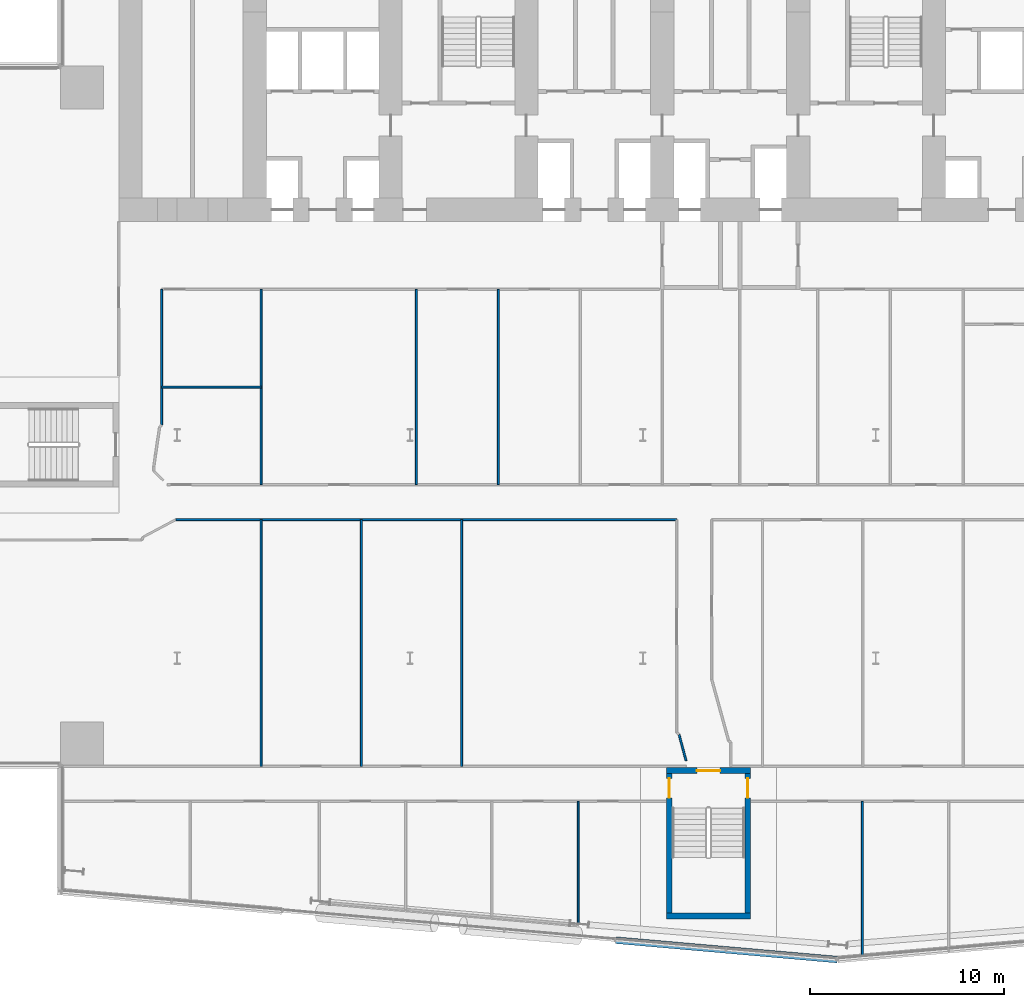
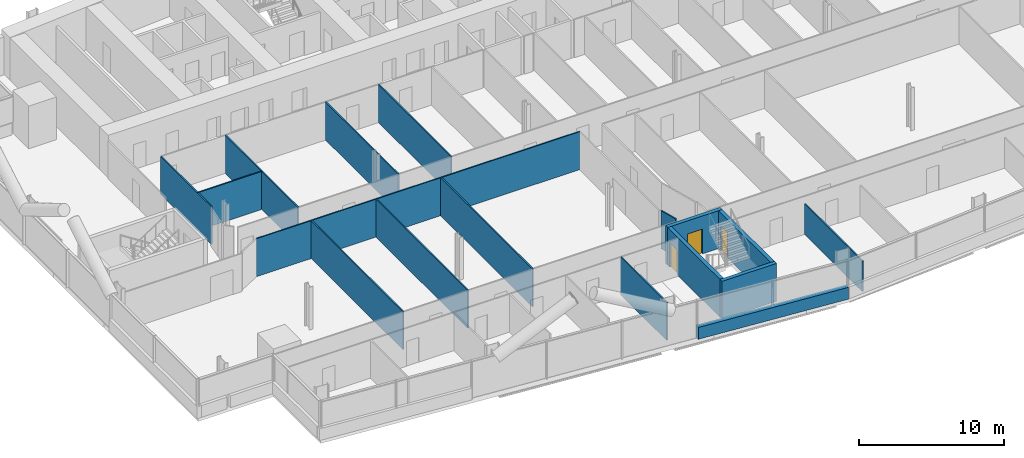
# One storey, part 14 of 28: 17 walls, 3 doors, 3 openings.
"""IFC4 building model written with IfcOpenShell, lengths in metres."""

from ifc_helpers import new_model, si_unit, direction, frame, frame_2d, origin, place, context, subcontext, project, spatial, rectangle, extrude, material, layer, layer_set, type_object, element, fill, save


model = new_model("IFC4")

# Units and contexts
model_context = context("Model", 3, precision=1e-05, world=origin(), true_north=direction((0.0, 1.0)))
body_context = subcontext(model_context, "Body", "Model", "MODEL_VIEW")
ifc_project = project(units=[si_unit("LENGTHUNIT", "METRE"), si_unit("AREAUNIT", "SQUARE_METRE"), si_unit("VOLUMEUNIT", "CUBIC_METRE"), si_unit("PLANEANGLEUNIT", "RADIAN"), si_unit("MASSUNIT", "GRAM", prefix="KILO")], contexts=[model_context])

# Site, building, storey
site_placement = place(None, origin())
site = spatial("IfcSite", under=ifc_project, at=site_placement, CompositionType="ELEMENT")
building_placement = place(site_placement, origin())
building = spatial("IfcBuilding", under=site, at=building_placement, Name="Wharfspan Tower", CompositionType="ELEMENT")
storey_placement = place(building_placement, frame((0.0, 0.0, 52.300049)))
storey = spatial("IfcBuildingStorey", under=building, at=storey_placement, Name="L09", CompositionType="ELEMENT", Elevation=52.300049)

# Walls
ifc_material_1 = material(Name="Gypsum board on steel studs", Category="steel")
ifc_layer_1 = layer(ifc_material_1, 0.100098)
ifc_layer_set_1 = layer_set([ifc_layer_1], Name="Gypsum board on steel studs")
wall_type_1 = type_object("IfcWallType", Name="Compartment wall 100 EI 60", PredefinedType="PARTITIONING", material=ifc_layer_set_1)
wall_1_placement = place(storey_placement, frame((11.199951, 23.514893, 0.0), z_axis=(0.0, 0.0, 1.0), x_axis=(0.0, 1.0, 0.0)))
element("IfcWall", 1, at=wall_1_placement, inside=storey, type_object=wall_type_1, Name="Partition L09.w013", PredefinedType="PARTITIONING", context=body_context, shape_type="SweptSolid", body=[
    extrude(rectangle(XDim=6.985107, YDim=0.100098, at=frame_2d((3.492676, 0.0))), origin(), (0.0, 0.0, 1.0), 3.199951),
])
wall_2_placement = place(storey_placement, frame((11.199951, 25.469971, 0.0), z_axis=(0.0, 0.0, 1.0), x_axis=(1.0, 0.0, 0.0)))
element("IfcWall", 2, at=wall_2_placement, inside=storey, type_object=wall_type_1, Name="Partition L09.w014", PredefinedType="PARTITIONING", context=body_context, shape_type="SweptSolid", body=[
    extrude(rectangle(XDim=5.13501, YDim=0.100098, at=frame_2d((2.567383, 0.0))), origin(), (0.0, 0.0, 1.0), 3.199951),
])
wall_3_placement = place(storey_placement, frame((11.935059, 18.639893, 0.0), z_axis=(0.0, 0.0, 1.0), x_axis=(1.0, 0.0, 0.0)))
element("IfcWall", 3, at=wall_3_placement, inside=storey, type_object=wall_type_1, Name="Partition L09.w018", PredefinedType="PARTITIONING", context=body_context, shape_type="SweptSolid", body=[
    extrude(rectangle(XDim=25.810059, YDim=0.100098, at=frame_2d((12.905029, 0.0))), origin(), (0.0, 0.0, 1.0), 3.199951),
])
wall_4_placement = place(storey_placement, frame((16.334961, 5.925049, 0.0), z_axis=(0.0, 0.0, 1.0), x_axis=(0.0, 1.0, 0.0)))
element("IfcWall", 4, at=wall_4_placement, inside=storey, type_object=wall_type_1, Name="Partition L09.w020", PredefinedType="PARTITIONING", context=body_context, shape_type="SweptSolid", body=[
    extrude(rectangle(XDim=12.714844, YDim=0.100098, at=frame_2d((6.357422, 0.0))), origin(), (0.0, 0.0, 1.0), 3.199951),
])
wall_5_placement = place(storey_placement, frame((16.334961, 20.445068, 0.0), z_axis=(0.0, 0.0, 1.0), x_axis=(0.0, 1.0, 0.0)))
element("IfcWall", 5, at=wall_5_placement, inside=storey, type_object=wall_type_1, Name="Partition L09.w021", PredefinedType="PARTITIONING", context=body_context, shape_type="SweptSolid", body=[
    extrude(rectangle(XDim=10.054932, YDim=0.100098, at=frame_2d((5.027344, 0.0))), origin(), (0.0, 0.0, 1.0), 3.199951),
])
wall_6_placement = place(storey_placement, frame((21.5, 5.925049, 0.0), z_axis=(0.0, 0.0, 1.0), x_axis=(0.0, 1.0, 0.0)))
element("IfcWall", 6, at=wall_6_placement, inside=storey, type_object=wall_type_1, Name="Partition L09.w023", PredefinedType="PARTITIONING", context=body_context, shape_type="SweptSolid", body=[
    extrude(rectangle(XDim=12.714844, YDim=0.100098, at=frame_2d((6.357422, 0.0))), origin(), (0.0, 0.0, 1.0), 3.199951),
])
wall_7_placement = place(storey_placement, frame((24.334961, 20.445068, 0.0), z_axis=(0.0, 0.0, 1.0), x_axis=(0.0, 1.0, 0.0)))
element("IfcWall", 7, at=wall_7_placement, inside=storey, type_object=wall_type_1, Name="Partition L09.w025", PredefinedType="PARTITIONING", context=body_context, shape_type="SweptSolid", body=[
    extrude(rectangle(XDim=10.054932, YDim=0.100098, at=frame_2d((5.027344, 0.0))), origin(), (0.0, 0.0, 1.0), 3.199951),
])
wall_8_placement = place(storey_placement, frame((26.665039, 5.925049, 0.0), z_axis=(0.0, 0.0, 1.0), x_axis=(0.0, 1.0, 0.0)))
element("IfcWall", 8, at=wall_8_placement, inside=storey, type_object=wall_type_1, Name="Partition L09.w026", PredefinedType="PARTITIONING", context=body_context, shape_type="SweptSolid", body=[
    extrude(rectangle(XDim=12.714844, YDim=0.100098, at=frame_2d((6.357422, 0.0))), origin(), (0.0, 0.0, 1.0), 3.199951),
])
wall_9_placement = place(storey_placement, frame((28.554932, 20.445068, 0.0), z_axis=(0.0, 0.0, 1.0), x_axis=(0.0, 1.0, 0.0)))
element("IfcWall", 9, at=wall_9_placement, inside=storey, type_object=wall_type_1, Name="Partition L09.w029", PredefinedType="PARTITIONING", context=body_context, shape_type="SweptSolid", body=[
    extrude(rectangle(XDim=10.054932, YDim=0.100098, at=frame_2d((5.027344, 0.0))), origin(), (0.0, 0.0, 1.0), 3.199951),
])
wall_10_placement = place(storey_placement, frame((32.669922, -2.225098, 0.0), z_axis=(0.0, 0.0, 1.0), x_axis=(0.0, 1.0, 0.0)))
element("IfcWall", 10, at=wall_10_placement, inside=storey, type_object=wall_type_1, Name="Partition L09.w031", PredefinedType="PARTITIONING", context=body_context, shape_type="SweptSolid", body=[
    extrude(rectangle(XDim=6.345215, YDim=0.100098, at=frame_2d((3.172607, 0.0))), origin(), (0.0, 0.0, 1.0), 3.199951),
])
wall_11_placement = place(storey_placement, frame((38.22998, 6.215088, 0.0), z_axis=(0.0, 0.0, 1.0), x_axis=(-0.260099, 0.965585, 0.0)))
element("IfcWall", 11, at=wall_11_placement, inside=storey, type_object=wall_type_1, Name="Partition L09.w036", PredefinedType="PARTITIONING", context=body_context, shape_type="SweptSolid", body=[
    extrude(rectangle(XDim=1.40332, YDim=0.100098, at=frame_2d((0.70166, 0.0))), origin(), (0.0, 0.0, 1.0), 3.199951),
])
wall_12_placement = place(storey_placement, frame((47.314941, -3.889404, 0.0), z_axis=(0.0, 0.0, 1.0), x_axis=(0.0, 1.0, 0.0)))
element("IfcWall", 12, at=wall_12_placement, inside=storey, type_object=wall_type_1, Name="Partition L09.w047", PredefinedType="PARTITIONING", context=body_context, shape_type="SweptSolid", body=[
    extrude(rectangle(XDim=8.009521, YDim=0.100098, at=frame_2d((4.004883, 0.0))), origin(), (0.0, 0.0, 1.0), 2.579834),
])
ifc_material_2 = material(Name="Concrete C40/50", Category="concrete")
ifc_layer_2 = layer(ifc_material_2, 0.350098)
ifc_layer_set_2 = layer_set([ifc_layer_2], Name="Concrete C40/50")
wall_type_2 = type_object("IfcWallType", Name="SPANDREL EXPOSED CONCRETE 350", PredefinedType="SOLIDWALL", material=ifc_layer_set_2)
wall_13_placement = place(storey_placement, frame((34.60083, -3.032227, 0.0), z_axis=(0.0, 0.0, 1.0), x_axis=(0.996193, -0.087148, 0.0)))
element("IfcWall", 13, at=wall_13_placement, inside=storey, type_object=wall_type_2, Name="Spandrel upstand L09 S1 2", PredefinedType="SOLIDWALL", context=body_context, shape_type="SweptSolid", body=[
    extrude(rectangle(XDim=11.458008, YDim=0.350098, at=frame_2d((5.729004, 0.0))), origin(), (0.0, 0.0, 1.0), 1.0),
])

# Wall, opening, door
ifc_layer_3 = layer(ifc_material_2, 0.300049)
ifc_layer_set_3 = layer_set([ifc_layer_3], Name="Concrete C40/50")
wall_type_3 = type_object("IfcWallType", Name="Stair core wall 300", PredefinedType="SHEAR", material=ifc_layer_set_3)
wall_14_placement = place(storey_placement, frame((37.208252, 5.710693, 0.0), z_axis=(0.0, 0.0, 1.0), x_axis=(1.0, 0.0, 0.0)))
wall_14 = element("IfcWall", 14, at=wall_14_placement, inside=storey, type_object=wall_type_3, Name="ST4 stair enclosure wall L09", PredefinedType="SHEAR", context=body_context, shape_type="SweptSolid", body=[
    extrude(rectangle(XDim=4.350098, YDim=0.300049, at=frame_2d((2.175049, 0.0))), origin(), (0.0, 0.0, 1.0), 3.199951),
])
opening_1_placement = place(wall_14_placement, frame((1.574951, 0.0, 0.0)))
opening_1 = element("IfcOpeningElement", 15, at=opening_1_placement, cuts=wall_14, Name="Opening SD4.L09", PredefinedType="OPENING", context=body_context, shape_type="SweptSolid", body=[
    extrude(rectangle(XDim=1.199951, YDim=2.100098, at=frame_2d((0.600098, 1.050049))), frame((0.0, 0.159912, 0.0), z_axis=(0.0, -1.0, 0.0), x_axis=(1.0, 0.0, 0.0)), (0.0, 0.0, 1.0), 0.320068),
])
ifc_material_3 = material(Name="Steel door leaf", Category="steel")
door_type_1 = type_object("IfcDoorType", Name="Stair door 1200x2100", OperationType="SINGLE_SWING_LEFT", PredefinedType="DOOR", material=ifc_material_3)
door_1_placement = place(opening_1_placement, origin())
door_1 = element("IfcDoor", 16, at=door_1_placement, inside=storey, type_object=door_type_1, Name="sd:L09:ST4z1", OperationType="SINGLE_SWING_RIGHT", OverallHeight=2.100098, OverallWidth=1.199951, PredefinedType="DOOR", context=body_context, shape_type="SweptSolid", body=[
    extrude(rectangle(XDim=1.199951, YDim=2.100098, at=frame_2d((0.600098, 1.050049))), frame((0.0, 0.024902, 0.0), z_axis=(0.0, -1.0, 0.0), x_axis=(1.0, 0.0, 0.0)), (0.0, 0.0, 1.0), 0.050049),
])
fill(opening_1, door_1)

wall_15_placement = place(storey_placement, frame((37.358398, -1.639404, 0.0), z_axis=(0.0, 0.0, 1.0), x_axis=(0.0, 1.0, 0.0)))
wall_15 = element("IfcWall", 17, at=wall_15_placement, inside=storey, type_object=wall_type_3, Name="ST4 stair enclosure wall L09", PredefinedType="SHEAR", context=body_context, shape_type="SweptSolid", body=[
    extrude(rectangle(XDim=7.199951, YDim=0.300049, at=frame_2d((3.600098, 0.0))), origin(), (0.0, 0.0, 1.0), 3.199951),
])
opening_2_placement = place(wall_15_placement, frame((5.94458, 0.0, 0.0)))
opening_2 = element("IfcOpeningElement", 18, at=opening_2_placement, cuts=wall_15, Name="Opening SS4W.L09", PredefinedType="OPENING", context=body_context, shape_type="SweptSolid", body=[
    extrude(rectangle(XDim=1.0, YDim=2.100098, at=frame_2d((0.5, 1.050049))), frame((0.0, 0.159912, 0.0), z_axis=(0.0, -1.0, 0.0), x_axis=(1.0, 0.0, 0.0)), (0.0, 0.0, 1.0), 0.320068),
])
door_type_2 = type_object("IfcDoorType", Name="Stair side door 1000x2100", OperationType="SINGLE_SWING_LEFT", PredefinedType="DOOR", material=ifc_material_3)
door_2_placement = place(opening_2_placement, origin())
door_2 = element("IfcDoor", 19, at=door_2_placement, inside=storey, type_object=door_type_2, Name="Stair side door", OperationType="SINGLE_SWING_LEFT", OverallHeight=2.100098, OverallWidth=1.0, PredefinedType="DOOR", context=body_context, shape_type="SweptSolid", body=[
    extrude(rectangle(XDim=1.0, YDim=2.100098, at=frame_2d((0.5, 1.050049))), frame((0.0, 0.024902, 0.0), z_axis=(0.0, -1.0, 0.0), x_axis=(1.0, 0.0, 0.0)), (0.0, 0.0, 1.0), 0.050049),
])
fill(opening_2, door_2)

wall_16_placement = place(storey_placement, frame((41.408203, -1.639404, 0.0), z_axis=(0.0, 0.0, 1.0), x_axis=(0.0, 1.0, 0.0)))
wall_16 = element("IfcWall", 20, at=wall_16_placement, inside=storey, type_object=wall_type_3, Name="ST4 stair enclosure wall L09", PredefinedType="SHEAR", context=body_context, shape_type="SweptSolid", body=[
    extrude(rectangle(XDim=7.199951, YDim=0.300049, at=frame_2d((3.600098, 0.0))), origin(), (0.0, 0.0, 1.0), 3.199951),
])
opening_3_placement = place(wall_16_placement, frame((5.94458, 0.0, 0.0)))
opening_3 = element("IfcOpeningElement", 21, at=opening_3_placement, cuts=wall_16, Name="Opening SS4E.L09", PredefinedType="OPENING", context=body_context, shape_type="SweptSolid", body=[
    extrude(rectangle(XDim=1.0, YDim=2.100098, at=frame_2d((0.5, 1.050049))), frame((0.0, 0.159912, 0.0), z_axis=(0.0, -1.0, 0.0), x_axis=(1.0, 0.0, 0.0)), (0.0, 0.0, 1.0), 0.320068),
])
door_3_placement = place(opening_3_placement, origin())
door_3 = element("IfcDoor", 22, at=door_3_placement, inside=storey, type_object=door_type_2, Name="Stair side door", OperationType="SINGLE_SWING_LEFT", OverallHeight=2.100098, OverallWidth=1.0, PredefinedType="DOOR", context=body_context, shape_type="SweptSolid", body=[
    extrude(rectangle(XDim=1.0, YDim=2.100098, at=frame_2d((0.5, 1.050049))), frame((0.0, 0.024902, 0.0), z_axis=(0.0, -1.0, 0.0), x_axis=(1.0, 0.0, 0.0)), (0.0, 0.0, 1.0), 0.050049),
])
fill(opening_3, door_3)

# Wall
wall_17_placement = place(storey_placement, frame((37.208252, -1.789307, 0.0), z_axis=(0.0, 0.0, 1.0), x_axis=(1.0, 0.0, 0.0)))
element("IfcWall", 23, at=wall_17_placement, inside=storey, type_object=wall_type_3, Name="ST4 stair enclosure wall L09", PredefinedType="SHEAR", context=body_context, shape_type="SweptSolid", body=[
    extrude(rectangle(XDim=4.350098, YDim=0.300049, at=frame_2d((2.175049, 0.0))), origin(), (0.0, 0.0, 1.0), 3.199951),
])

save(model, "model.ifc")
